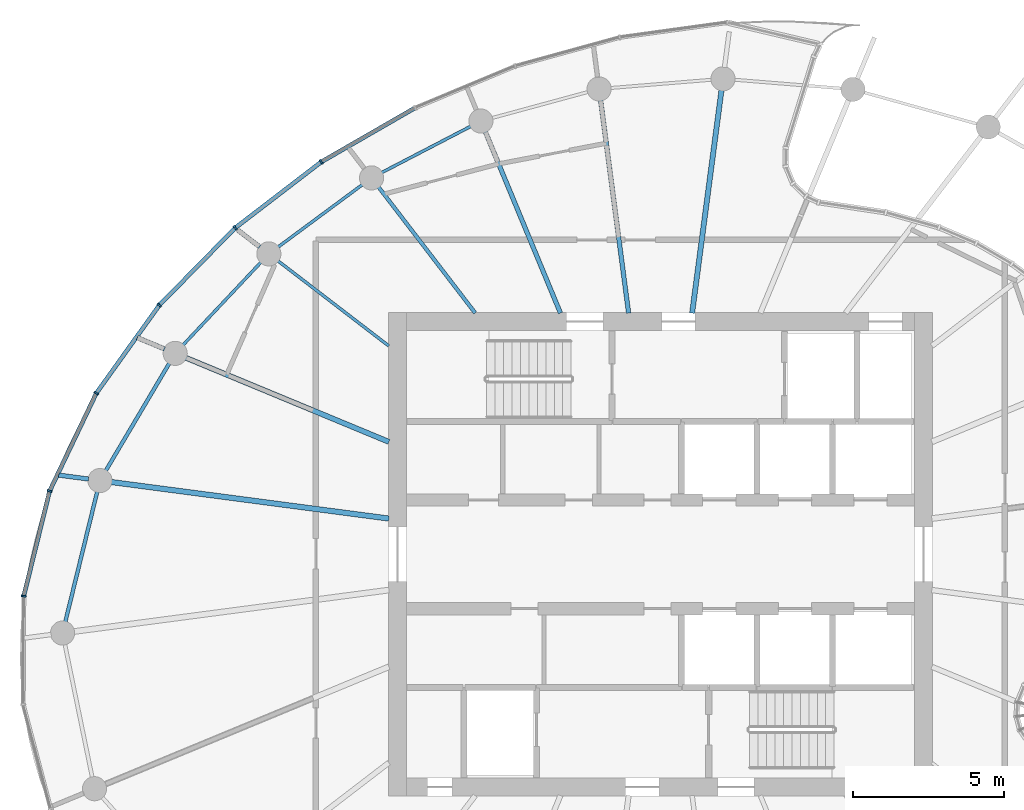
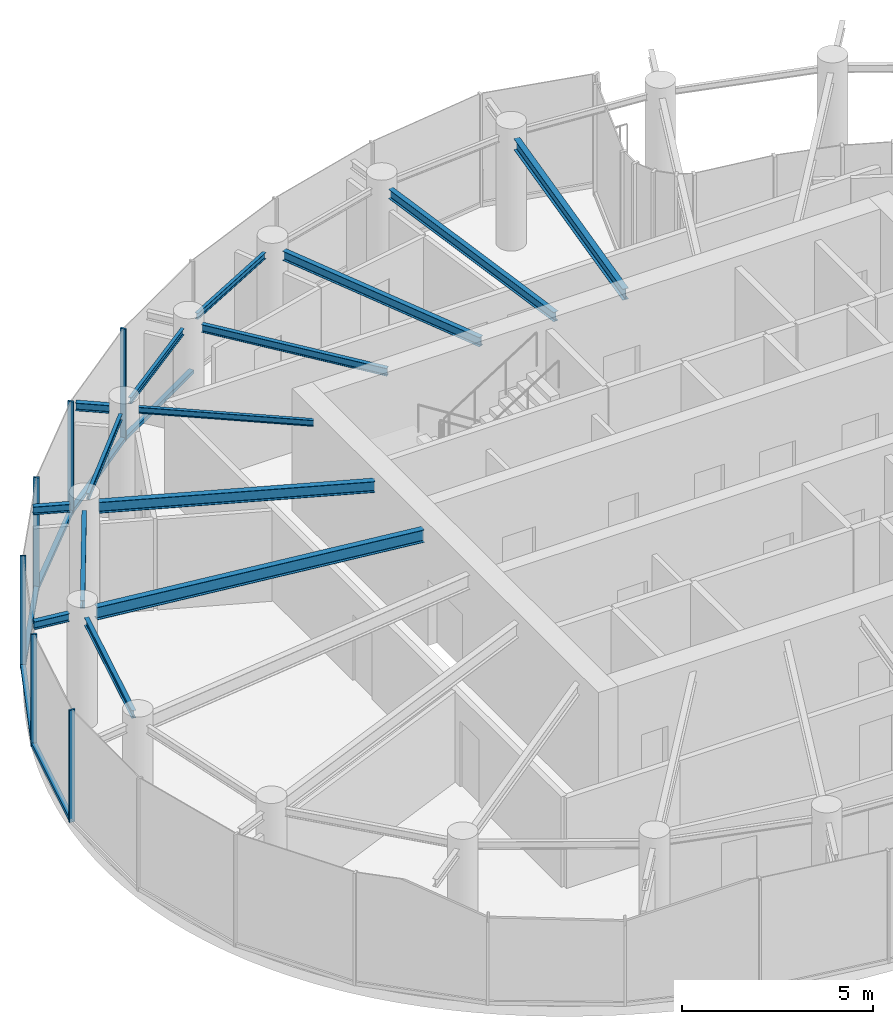
# One storey, part 4 of 14: 15 beams, 12 members, 2 elements without a shape of their own.
"""IFC4 building model written with IfcOpenShell, lengths in metres."""

from ifc_helpers import new_model, si_unit, direction, frame, origin, origin_2d, place, context, subcontext, project, spatial, rectangle, i_section, extrude, source, transform, mapped, material, layer, layer_set, material_profile, profile_set, type_object, element, aggregate, save


model = new_model("IFC4")

# Units and contexts
model_context = context("Model", 3, precision=1e-05, world=origin(), true_north=direction((0.0, 1.0)))
body_context = subcontext(model_context, "Body", "Model", "MODEL_VIEW")
ifc_project = project(units=[si_unit("LENGTHUNIT", "METRE"), si_unit("AREAUNIT", "SQUARE_METRE"), si_unit("VOLUMEUNIT", "CUBIC_METRE"), si_unit("PLANEANGLEUNIT", "RADIAN"), si_unit("MASSUNIT", "GRAM", prefix="KILO")], contexts=[model_context])

# Site, building, storey
site_placement = place(None, origin())
site = spatial("IfcSite", under=ifc_project, at=site_placement, CompositionType="ELEMENT")
building_placement = place(site_placement, origin())
building = spatial("IfcBuilding", under=site, at=building_placement, Name="Spindrift Exchange Tower", CompositionType="ELEMENT")
storey_placement = place(building_placement, frame((0.0, 0.0, 238.39990234375)))
storey = spatial("IfcBuildingStorey", under=building, at=storey_placement, Name="L58", CompositionType="ELEMENT", Elevation=238.39990234375)

# Beams
ifc_material_1 = material(Name="Steel Grade 300", Category="steel")
ifc_material_profile_1 = material_profile(ifc_material_1, i_section(OverallWidth=0.1708984375, OverallDepth=0.35205078125, WebThickness=0.0068359375, FlangeThickness=0.009765625, FilletRadius=0.013916015625, at=origin_2d()), Name="360UB44.7")
ifc_profile_set_1 = profile_set([ifc_material_profile_1], Name="Steel Grade 300")
beam_type_1 = type_object("IfcBeamType", Name="Floor Beam 360UB44.7 Steel Grade 300", PredefinedType="BEAM", material=ifc_profile_set_1)
shared_shape_1 = source(origin(), body_context, "Body", "SweptSolid", [
    extrude(i_section(OverallWidth=0.1708984375, OverallDepth=0.35205078125, WebThickness=0.0068359375, FlangeThickness=0.009765625, FilletRadius=0.013916015625, at=origin_2d()), origin(), (0.0, 0.0, 1.0), 7.43798828125),
])
beam_1_placement = place(storey_placement, frame((53.050537109375, 55.980224609375, 3.404052734375), z_axis=(0.130540269579, 0.991443007953, 0.0), x_axis=(-0.991443007953, 0.130540269579, 0.0)))
element("IfcBeam", 1, at=beam_1_placement, inside=storey, type_object=beam_type_1, Name="L58 radial beam R06A", PredefinedType="BEAM", context=body_context, shape_type="MappedRepresentation", body=[
    mapped(shared_shape_1, transform((0.0, 0.0, 0.0), scale=1.0)),
])
ifc_material_profile_2 = material_profile(ifc_material_1, i_section(OverallWidth=0.14892578125, OverallDepth=0.298095703125, WebThickness=0.005615234375, FlangeThickness=0.008056640625, FilletRadius=0.012939453125, at=origin_2d()), Name="310UB32.0")
ifc_profile_set_2 = profile_set([ifc_material_profile_2], Name="Steel Grade 300")
beam_type_2 = type_object("IfcBeamType", Name="Floor Beam 310UB32.0 Steel Grade 300", PredefinedType="BEAM", material=ifc_profile_set_2)
shared_shape_2 = source(origin(), body_context, "Body", "SweptSolid", [
    extrude(i_section(OverallWidth=0.14892578125, OverallDepth=0.298095703125, WebThickness=0.005615234375, FlangeThickness=0.008056640625, FilletRadius=0.012939453125, at=origin_2d()), origin(), (0.0, 0.0, 1.0), 7.099853515625),
])
beam_2_placement = place(storey_placement, frame((50.949462890625, 55.980224609375, 3.43115234375), z_axis=(-0.130532789835, 0.991443992759, 0.0), x_axis=(-0.991443992759, -0.130532789835, 0.0)))
element("IfcBeam", 2, at=beam_2_placement, inside=storey, type_object=beam_type_2, Name="L58 radial beam R07A", PredefinedType="BEAM", context=body_context, shape_type="MappedRepresentation", body=[
    mapped(shared_shape_2, transform((0.0, 0.0, 0.0), scale=1.0)),
])
shared_shape_3 = source(origin(), body_context, "Body", "SweptSolid", [
    extrude(i_section(OverallWidth=0.14892578125, OverallDepth=0.298095703125, WebThickness=0.005615234375, FlangeThickness=0.008056640625, FilletRadius=0.012939453125, at=origin_2d()), origin(), (0.0, 0.0, 1.0), 6.495849609375),
])
beam_3_placement = place(storey_placement, frame((48.69384765625, 55.9814453125, 3.43115234375), z_axis=(-0.382677087308, 0.923882160695, 0.0), x_axis=(-0.923882160695, -0.382677087308, 0.0)))
element("IfcBeam", 3, at=beam_3_placement, inside=storey, type_object=beam_type_2, Name="L58 radial beam R08A", PredefinedType="BEAM", context=body_context, shape_type="MappedRepresentation", body=[
    mapped(shared_shape_3, transform((0.0, 0.0, 0.0), scale=1.0)),
])
ifc_material_profile_3 = material_profile(ifc_material_1, i_section(OverallWidth=0.1240234375, OverallDepth=0.248046875, WebThickness=0.0048828125, FlangeThickness=0.008056640625, FilletRadius=0.011962890625, at=origin_2d()), Name="250UB25.7")
ifc_profile_set_3 = profile_set([ifc_material_profile_3], Name="Steel Grade 300")
beam_type_3 = type_object("IfcBeamType", Name="Floor Beam 250UB25.7 Steel Grade 300", PredefinedType="BEAM", material=ifc_profile_set_3)
shared_shape_4 = source(origin(), body_context, "Body", "SweptSolid", [
    extrude(i_section(OverallWidth=0.1240234375, OverallDepth=0.248046875, WebThickness=0.0048828125, FlangeThickness=0.008056640625, FilletRadius=0.011962890625, at=origin_2d()), origin(), (0.0, 0.0, 1.0), 5.25341796875),
])
beam_4_placement = place(storey_placement, frame((45.87353515625, 55.984130859375, 3.4560546875), z_axis=(-0.608760287872, 0.793354215915, 0.0), x_axis=(-0.793354215915, -0.608760287872, 0.0)))
element("IfcBeam", 4, at=beam_4_placement, inside=storey, type_object=beam_type_3, Name="L58 radial beam R09A", PredefinedType="BEAM", context=body_context, shape_type="MappedRepresentation", body=[
    mapped(shared_shape_4, transform((0.0, 0.0, 0.0), scale=1.0)),
])
ifc_material_profile_4 = material_profile(ifc_material_1, i_section(OverallWidth=0.09912109375, OverallDepth=0.197998046875, WebThickness=0.00439453125, FlangeThickness=0.007080078125, FilletRadius=0.010986328125, at=origin_2d()), Name="200UB18.2")
ifc_profile_set_4 = profile_set([ifc_material_profile_4], Name="Steel Grade 300")
beam_type_4 = type_object("IfcBeamType", Name="Floor Beam 200UB18.2 Steel Grade 300", PredefinedType="BEAM", material=ifc_profile_set_4)
shared_shape_5 = source(origin(), body_context, "Body", "SweptSolid", [
    extrude(i_section(OverallWidth=0.09912109375, OverallDepth=0.197998046875, WebThickness=0.00439453125, FlangeThickness=0.007080078125, FilletRadius=0.010986328125, at=origin_2d()), origin(), (0.0, 0.0, 1.0), 4.622802734375),
])
beam_5_placement = place(storey_placement, frame((43.015869140625, 54.893798828125, 3.481201171875), z_axis=(-0.793347882225, 0.608768542033, 0.0), x_axis=(-0.608768542033, -0.793347882225, 0.0)))
element("IfcBeam", 5, at=beam_5_placement, inside=storey, type_object=beam_type_4, Name="L58 radial beam R10A", PredefinedType="BEAM", context=body_context, shape_type="MappedRepresentation", body=[
    mapped(shared_shape_5, transform((0.0, 0.0, 0.0), scale=1.0)),
])
shared_shape_6 = source(origin(), body_context, "Body", "SweptSolid", [
    extrude(i_section(OverallWidth=0.1708984375, OverallDepth=0.35205078125, WebThickness=0.0068359375, FlangeThickness=0.009765625, FilletRadius=0.013916015625, at=origin_2d()), origin(), (0.0, 0.0, 1.0), 7.272705078125),
])
beam_6_placement = place(storey_placement, frame((43.0185546875, 51.72021484375, 3.404052734375), z_axis=(-0.923874446092, 0.382695711836, 0.0), x_axis=(-0.382695711836, -0.923874446092, 0.0)))
element("IfcBeam", 6, at=beam_6_placement, inside=storey, type_object=beam_type_1, Name="L58 radial beam R11A", PredefinedType="BEAM", context=body_context, shape_type="MappedRepresentation", body=[
    mapped(shared_shape_6, transform((0.0, 0.0, 0.0), scale=1.0)),
])
ifc_material_profile_5 = material_profile(ifc_material_1, i_section(OverallWidth=0.177978515625, OverallDepth=0.403076171875, WebThickness=0.007568359375, FlangeThickness=0.010986328125, FilletRadius=0.013916015625, at=origin_2d()), Name="410UB53.7")
ifc_profile_set_5 = profile_set([ifc_material_profile_5], Name="Steel Grade 300")
beam_type_5 = type_object("IfcBeamType", Name="Floor Beam 410UB53.7 Steel Grade 300", PredefinedType="BEAM", material=ifc_profile_set_5)
shared_shape_7 = source(origin(), body_context, "Body", "SweptSolid", [
    extrude(i_section(OverallWidth=0.177978515625, OverallDepth=0.403076171875, WebThickness=0.007568359375, FlangeThickness=0.010986328125, FilletRadius=0.013916015625, at=origin_2d()), origin(), (0.0, 0.0, 1.0), 9.261962890625),
])
beam_7_placement = place(storey_placement, frame((43.019775390625, 49.182373046875, 3.378662109375), z_axis=(-0.991447744872, 0.130504288008, 0.0), x_axis=(-0.130504288008, -0.991447744872, 0.0)))
element("IfcBeam", 7, at=beam_7_placement, inside=storey, type_object=beam_type_5, Name="L58 radial beam R12A", PredefinedType="BEAM", context=body_context, shape_type="MappedRepresentation", body=[
    mapped(shared_shape_7, transform((0.0, 0.0, 0.0), scale=1.0)),
])
ifc_material_profile_6 = material_profile(ifc_material_1, i_section(OverallWidth=0.09912109375, OverallDepth=0.197998046875, WebThickness=0.00439453125, FlangeThickness=0.007080078125, FilletRadius=0.010986328125, at=origin_2d()), Name="200UB18.2")
ifc_profile_set_6 = profile_set([ifc_material_profile_6], Name="Steel Grade 300")
beam_type_6 = type_object("IfcBeamType", Name="Edge Beam 200UB18.2 Steel Grade 300", PredefinedType="SPANDREL", material=ifc_profile_set_6)
shared_shape_8 = source(origin(), body_context, "Body", "SweptSolid", [
    extrude(i_section(OverallWidth=0.09912109375, OverallDepth=0.197998046875, WebThickness=0.00439453125, FlangeThickness=0.007080078125, FilletRadius=0.010986328125, at=origin_2d()), origin(), (0.0, 0.0, 1.0), 3.31787109375),
])
beam_8_placement = place(storey_placement, frame((45.7255859375, 62.15869140625, 3.481201171875), z_axis=(-0.887327612278, -0.46113957593, 0.0), x_axis=(0.46113957593, -0.887327612278, 0.0)))
element("IfcBeam", 8, at=beam_8_placement, inside=storey, type_object=beam_type_6, Name="L58 edge beam E08", PredefinedType="SPANDREL", context=body_context, shape_type="MappedRepresentation", body=[
    mapped(shared_shape_8, transform((0.0, 0.0, 0.0), scale=1.0)),
])
shared_shape_9 = source(origin(), body_context, "Body", "SweptSolid", [
    extrude(i_section(OverallWidth=0.09912109375, OverallDepth=0.197998046875, WebThickness=0.00439453125, FlangeThickness=0.007080078125, FilletRadius=0.010986328125, at=origin_2d()), origin(), (0.0, 0.0, 1.0), 3.466552734375),
])
beam_9_placement = place(storey_placement, frame((42.138916015625, 60.227294921875, 3.481201171875), z_axis=(-0.803854022168, -0.594826622676, 0.0), x_axis=(0.594826622676, -0.803854022168, 0.0)))
element("IfcBeam", 9, at=beam_9_placement, inside=storey, type_object=beam_type_6, Name="L58 edge beam E09", PredefinedType="SPANDREL", context=body_context, shape_type="MappedRepresentation", body=[
    mapped(shared_shape_9, transform((0.0, 0.0, 0.0), scale=1.0)),
])
shared_shape_10 = source(origin(), body_context, "Body", "SweptSolid", [
    extrude(i_section(OverallWidth=0.09912109375, OverallDepth=0.197998046875, WebThickness=0.00439453125, FlangeThickness=0.007080078125, FilletRadius=0.010986328125, at=origin_2d()), origin(), (0.0, 0.0, 1.0), 3.759765625),
])
beam_10_placement = place(storey_placement, frame((38.786376953125, 57.66259765625, 3.481201171875), z_axis=(-0.685520646854, -0.72805318675, 0.0), x_axis=(0.72805318675, -0.685520646854, 0.0)))
element("IfcBeam", 10, at=beam_10_placement, inside=storey, type_object=beam_type_6, Name="L58 edge beam E10", PredefinedType="SPANDREL", context=body_context, shape_type="MappedRepresentation", body=[
    mapped(shared_shape_10, transform((0.0, 0.0, 0.0), scale=1.0)),
])
ifc_material_profile_7 = material_profile(ifc_material_1, i_section(OverallWidth=0.1240234375, OverallDepth=0.248046875, WebThickness=0.0048828125, FlangeThickness=0.008056640625, FilletRadius=0.011962890625, at=origin_2d()), Name="250UB25.7")
ifc_profile_set_7 = profile_set([ifc_material_profile_7], Name="Steel Grade 300")
beam_type_7 = type_object("IfcBeamType", Name="Edge Beam 250UB25.7 Steel Grade 300", PredefinedType="SPANDREL", material=ifc_profile_set_7)
shared_shape_11 = source(origin(), body_context, "Body", "SweptSolid", [
    extrude(i_section(OverallWidth=0.1240234375, OverallDepth=0.248046875, WebThickness=0.0048828125, FlangeThickness=0.008056640625, FilletRadius=0.011962890625, at=origin_2d()), origin(), (0.0, 0.0, 1.0), 4.128662109375),
])
beam_11_placement = place(storey_placement, frame((35.755126953125, 54.321533203125, 3.4560546875), z_axis=(-0.509067946458, -0.860726336235, 0.0), x_axis=(0.860726336235, -0.509067946458, 0.0)))
element("IfcBeam", 11, at=beam_11_placement, inside=storey, type_object=beam_type_7, Name="L58 edge beam E11", PredefinedType="SPANDREL", context=body_context, shape_type="MappedRepresentation", body=[
    mapped(shared_shape_11, transform((0.0, 0.0, 0.0), scale=1.0)),
])
shared_shape_12 = source(origin(), body_context, "Body", "SweptSolid", [
    extrude(i_section(OverallWidth=0.1240234375, OverallDepth=0.248046875, WebThickness=0.0048828125, FlangeThickness=0.008056640625, FilletRadius=0.011962890625, at=origin_2d()), origin(), (0.0, 0.0, 1.0), 4.43408203125),
])
beam_12_placement = place(storey_placement, frame((33.369384765625, 50.07177734375, 3.4560546875), z_axis=(-0.238193109804, -0.971217814109, 0.0), x_axis=(0.971217814109, -0.238193109804, 0.0)))
element("IfcBeam", 12, at=beam_12_placement, inside=storey, type_object=beam_type_7, Name="L58 edge beam E12", PredefinedType="SPANDREL", context=body_context, shape_type="MappedRepresentation", body=[
    mapped(shared_shape_12, transform((0.0, 0.0, 0.0), scale=1.0)),
])
ifc_material_profile_8 = material_profile(ifc_material_1, i_section(OverallWidth=0.14599609375, OverallDepth=0.251953125, WebThickness=0.006103515625, FlangeThickness=0.008544921875, FilletRadius=0.011962890625, at=origin_2d()), Name="250UB31.4")
ifc_profile_set_8 = profile_set([ifc_material_profile_8], Name="Steel Grade 300")
beam_type_8 = type_object("IfcBeamType", Name="Cantilever Beam 250UB31.4 Steel Grade 300", PredefinedType="BEAM", material=ifc_profile_set_8)
shared_shape_13 = source(origin(), body_context, "Body", "SweptSolid", [
    extrude(i_section(OverallWidth=0.14599609375, OverallDepth=0.251953125, WebThickness=0.006103515625, FlangeThickness=0.008544921875, FilletRadius=0.011962890625, at=origin_2d()), origin(), (0.0, 0.0, 1.0), 0.89013671875),
])
beam_13_placement = place(storey_placement, frame((38.74560546875, 58.170654296875, 3.4541015625), z_axis=(-0.793469493014, 0.608610025924, 0.0), x_axis=(-0.608610025924, -0.793469493014, 0.0)))
element("IfcBeam", 13, at=beam_13_placement, inside=storey, type_object=beam_type_8, Name="L58 cantilever beam R10T", PredefinedType="BEAM", context=body_context, shape_type="MappedRepresentation", body=[
    mapped(shared_shape_13, transform((0.0, 0.0, 0.0), scale=1.0)),
])
shared_shape_14 = source(origin(), body_context, "Body", "SweptSolid", [
    extrude(i_section(OverallWidth=0.14599609375, OverallDepth=0.251953125, WebThickness=0.006103515625, FlangeThickness=0.008544921875, FilletRadius=0.011962890625, at=origin_2d()), origin(), (0.0, 0.0, 1.0), 0.976806640625),
])
beam_14_placement = place(storey_placement, frame((35.597412109375, 54.794189453125, 3.4541015625), z_axis=(-0.92387364005, 0.382697657715, 0.0), x_axis=(-0.382697657715, -0.92387364005, 0.0)))
element("IfcBeam", 14, at=beam_14_placement, inside=storey, type_object=beam_type_8, Name="L58 cantilever beam R11T", PredefinedType="BEAM", context=body_context, shape_type="MappedRepresentation", body=[
    mapped(shared_shape_14, transform((0.0, 0.0, 0.0), scale=1.0)),
])
shared_shape_15 = source(origin(), body_context, "Body", "SweptSolid", [
    extrude(i_section(OverallWidth=0.14599609375, OverallDepth=0.251953125, WebThickness=0.006103515625, FlangeThickness=0.008544921875, FilletRadius=0.011962890625, at=origin_2d()), origin(), (0.0, 0.0, 1.0), 0.99560546875),
])
beam_15_placement = place(storey_placement, frame((33.083251953125, 50.490478515625, 3.4541015625), z_axis=(-0.991453460848, 0.13046085609, 0.0), x_axis=(-0.13046085609, -0.991453460848, 0.0)))
element("IfcBeam", 15, at=beam_15_placement, inside=storey, type_object=beam_type_8, Name="L58 cantilever beam R12T", PredefinedType="BEAM", context=body_context, shape_type="MappedRepresentation", body=[
    mapped(shared_shape_15, transform((0.0, 0.0, 0.0), scale=1.0)),
])

# Curtain wall, members
ifc_material_2 = material(Name="Fritted laminated glass with bronze frame", Category="glass")
ifc_layer = layer(ifc_material_2, 0.159912109375)
ifc_layer_set = layer_set([ifc_layer], Name="ZONE 5 BRONZE FRITTED WALL")
curtain_wall_type = type_object("IfcCurtainWallType", Name="ZONE 5 BRONZE FRITTED WALL", PredefinedType="NOTDEFINED", material=ifc_layer_set)
curtain_wall_1_placement = place(storey_placement, origin())
curtain_wall_1 = element("IfcCurtainWall", 16, at=curtain_wall_1_placement, inside=storey, type_object=curtain_wall_type, Name="L58 Zone 5 Bronze Fritted Wall run 1", PredefinedType="NOTDEFINED")
ifc_material_3 = material(Name="Bronze anodised aluminium", Category="aluminium")
ifc_material_profile_9 = material_profile(ifc_material_3, rectangle(XDim=0.06005859375, YDim=0.159912109375, at=origin_2d()), Name="ZONE 5 BRONZE FRITTED WALL MULLION 60X160")
ifc_profile_set_9 = profile_set([ifc_material_profile_9], Name="Bronze anodised aluminium")
member_type_1 = type_object("IfcMemberType", Name="ZONE 5 BRONZE FRITTED WALL MULLION 60X160", PredefinedType="MULLION", material=ifc_profile_set_9)
shared_shape_16 = source(origin(), body_context, "Body", "SweptSolid", [
    extrude(rectangle(XDim=0.06005859375, YDim=0.159912109375, at=origin_2d()), origin(), (0.0, 0.0, 1.0), 3.580078125),
])
member_1_placement = place(storey_placement, frame((40.78173828125, 60.98388671875, 0.0), z_axis=(0.0, 0.0, 1.0), x_axis=(-0.831851635677, -0.554998068665, 0.0)))
member_1 = element("IfcMember", 17, at=member_1_placement, type_object=member_type_1, Name="L58 mullion CW-5.5", PredefinedType="MULLION", context=body_context, shape_type="MappedRepresentation", body=[
    mapped(shared_shape_16, transform((0.0, 0.0, 0.0), scale=1.0)),
])
member_2_placement = place(storey_placement, frame((37.935791015625, 58.802001953125, 0.0), z_axis=(0.0, 0.0, 1.0), x_axis=(-0.74895631911, -0.662619371936, 0.0)))
member_2 = element("IfcMember", 18, at=member_2_placement, type_object=member_type_1, Name="L58 mullion CW-5.6", PredefinedType="MULLION", context=body_context, shape_type="MappedRepresentation", body=[
    mapped(shared_shape_16, transform((0.0, 0.0, 0.0), scale=1.0)),
])

curtain_wall_2_placement = place(storey_placement, origin())
curtain_wall_2 = element("IfcCurtainWall", 19, at=curtain_wall_2_placement, inside=storey, type_object=curtain_wall_type, Name="L58 Zone 5 Bronze Fritted Wall run 2", PredefinedType="NOTDEFINED")
member_3_placement = place(storey_placement, frame((35.423828125, 56.24365234375, 0.0), z_axis=(0.0, 0.0, 1.0), x_axis=(-0.643275748832, -0.76563458057, 0.0)))
member_3 = element("IfcMember", 20, at=member_3_placement, type_object=member_type_1, Name="L58 mullion CW-5.7", PredefinedType="MULLION", context=body_context, shape_type="MappedRepresentation", body=[
    mapped(shared_shape_16, transform((0.0, 0.0, 0.0), scale=1.0)),
])
member_4_placement = place(storey_placement, frame((33.33740234375, 53.328857421875, 0.0), z_axis=(0.0, 0.0, 1.0), x_axis=(-0.508376660029, -0.861134816122, 0.0)))
member_4 = element("IfcMember", 21, at=member_4_placement, type_object=member_type_1, Name="L58 mullion CW-5.8", PredefinedType="MULLION", context=body_context, shape_type="MappedRepresentation", body=[
    mapped(shared_shape_16, transform((0.0, 0.0, 0.0), scale=1.0)),
])
member_5_placement = place(storey_placement, frame((31.793701171875, 50.094970703125, 0.0), z_axis=(0.0, 0.0, 1.0), x_axis=(-0.336749715959, -0.941594195395, 0.0)))
member_5 = element("IfcMember", 22, at=member_5_placement, type_object=member_type_1, Name="L58 mullion CW-5.9", PredefinedType="MULLION", context=body_context, shape_type="MappedRepresentation", body=[
    mapped(shared_shape_16, transform((0.0, 0.0, 0.0), scale=1.0)),
])
member_6_placement = place(storey_placement, frame((30.936767578125, 46.617431640625, 0.0), z_axis=(0.0, 0.0, 1.0), x_axis=(-0.12344557249, -0.99235134435, 0.0)))
member_6 = element("IfcMember", 23, at=member_6_placement, type_object=member_type_1, Name="L58 mullion CW-5.10", PredefinedType="MULLION", context=body_context, shape_type="MappedRepresentation", body=[
    mapped(shared_shape_16, transform((0.0, 0.0, 0.0), scale=1.0)),
])

# Member
ifc_material_profile_10 = material_profile(ifc_material_3, rectangle(XDim=0.139892578125, YDim=0.1201171875, at=origin_2d()), Name="ZONE 5 BRONZE FRITTED WALL TRANSOM 140X120")
ifc_profile_set_10 = profile_set([ifc_material_profile_10], Name="Bronze anodised aluminium")
member_type_2 = type_object("IfcMemberType", Name="ZONE 5 BRONZE FRITTED WALL TRANSOM 140X120", PredefinedType="USERDEFINED", material=ifc_profile_set_10)
shared_shape_17 = source(origin(), body_context, "Body", "SweptSolid", [
    extrude(rectangle(XDim=0.139892578125, YDim=0.1201171875, at=origin_2d()), origin(), (0.0, 0.0, 1.0), 3.525390625),
])
member_7_placement = place(storey_placement, frame((37.914794921875, 58.78076171875, 0.06005859375), z_axis=(-0.700602260716, -0.713552010914, 0.0), x_axis=(0.713552010914, -0.700602260716, 0.0)))
member_7 = element("IfcMember", 24, at=member_7_placement, type_object=member_type_2, Name="L58 transom CW-5.6", ObjectType="TRANSOM", PredefinedType="USERDEFINED", context=body_context, shape_type="MappedRepresentation", body=[
    mapped(shared_shape_17, transform((0.0, 0.0, 0.0), scale=1.0)),
])

shared_shape_18 = source(origin(), body_context, "Body", "SweptSolid", [
    extrude(rectangle(XDim=0.139892578125, YDim=0.1201171875, at=origin_2d()), origin(), (0.0, 0.0, 1.0), 3.524658203125),
])
member_8_placement = place(storey_placement, frame((35.40625, 56.21923828125, 0.06005859375), z_axis=(-0.582063500611, -0.813143333771, 0.0), x_axis=(0.813143333771, -0.582063500611, 0.0)))
member_8 = element("IfcMember", 25, at=member_8_placement, type_object=member_type_2, Name="L58 transom CW-5.7", ObjectType="TRANSOM", PredefinedType="USERDEFINED", context=body_context, shape_type="MappedRepresentation", body=[
    mapped(shared_shape_18, transform((0.0, 0.0, 0.0), scale=1.0)),
])

shared_shape_19 = source(origin(), body_context, "Body", "SweptSolid", [
    extrude(rectangle(XDim=0.139892578125, YDim=0.1201171875, at=origin_2d()), origin(), (0.0, 0.0, 1.0), 3.521484375),
])
member_9_placement = place(storey_placement, frame((31.78662109375, 50.065673828125, 0.06005859375), z_axis=(-0.239255372306, -0.970956676079, 0.0), x_axis=(0.970956676079, -0.239255372306, 0.0)))
member_9 = element("IfcMember", 26, at=member_9_placement, type_object=member_type_2, Name="L58 transom CW-5.9", ObjectType="TRANSOM", PredefinedType="USERDEFINED", context=body_context, shape_type="MappedRepresentation", body=[
    mapped(shared_shape_19, transform((0.0, 0.0, 0.0), scale=1.0)),
])

shared_shape_20 = source(origin(), body_context, "Body", "SweptSolid", [
    extrude(rectangle(XDim=0.139892578125, YDim=0.1201171875, at=origin_2d()), origin(), (0.0, 0.0, 1.0), 3.526123046875),
])
member_10_placement = place(storey_placement, frame((43.86328125, 62.759033203125, 0.06005859375), z_axis=(-0.866520825319, -0.499140921272, 0.0), x_axis=(0.499140921272, -0.866520825319, 0.0)))
member_10 = element("IfcMember", 27, at=member_10_placement, type_object=member_type_2, Name="L58 transom CW-5.4", ObjectType="TRANSOM", PredefinedType="USERDEFINED", context=body_context, shape_type="MappedRepresentation", body=[
    mapped(shared_shape_20, transform((0.0, 0.0, 0.0), scale=1.0)),
])

member_11_placement = place(storey_placement, frame((40.758056640625, 60.9658203125, 0.06005859375), z_axis=(-0.793590759765, -0.608451892934, 0.0), x_axis=(0.608451892934, -0.793590759765, 0.0)))
member_11 = element("IfcMember", 28, at=member_11_placement, type_object=member_type_2, Name="L58 transom CW-5.5", ObjectType="TRANSOM", PredefinedType="USERDEFINED", context=body_context, shape_type="MappedRepresentation", body=[
    mapped(shared_shape_20, transform((0.0, 0.0, 0.0), scale=1.0)),
])

aggregate(curtain_wall_1, [member_10, member_1, member_11, member_2, member_7])

shared_shape_21 = source(origin(), body_context, "Body", "SweptSolid", [
    extrude(rectangle(XDim=0.139892578125, YDim=0.1201171875, at=origin_2d()), origin(), (0.0, 0.0, 1.0), 3.5234375),
])
member_12_placement = place(storey_placement, frame((33.324462890625, 53.3017578125, 0.06005859375), z_axis=(-0.430786021461, -0.902454100613, 0.0), x_axis=(0.902454100613, -0.430786021461, 0.0)))
member_12 = element("IfcMember", 29, at=member_12_placement, type_object=member_type_2, Name="L58 transom CW-5.8", ObjectType="TRANSOM", PredefinedType="USERDEFINED", context=body_context, shape_type="MappedRepresentation", body=[
    mapped(shared_shape_21, transform((0.0, 0.0, 0.0), scale=1.0)),
])

aggregate(curtain_wall_2, [member_3, member_8, member_4, member_12, member_5, member_9, member_6])

save(model, "model.ifc")
